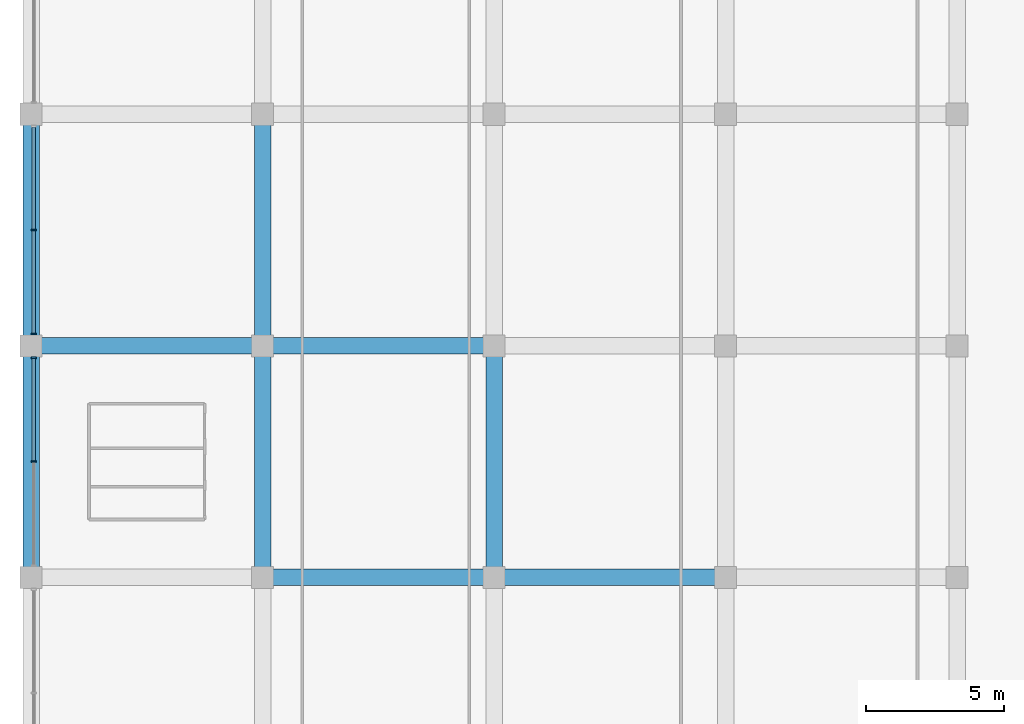
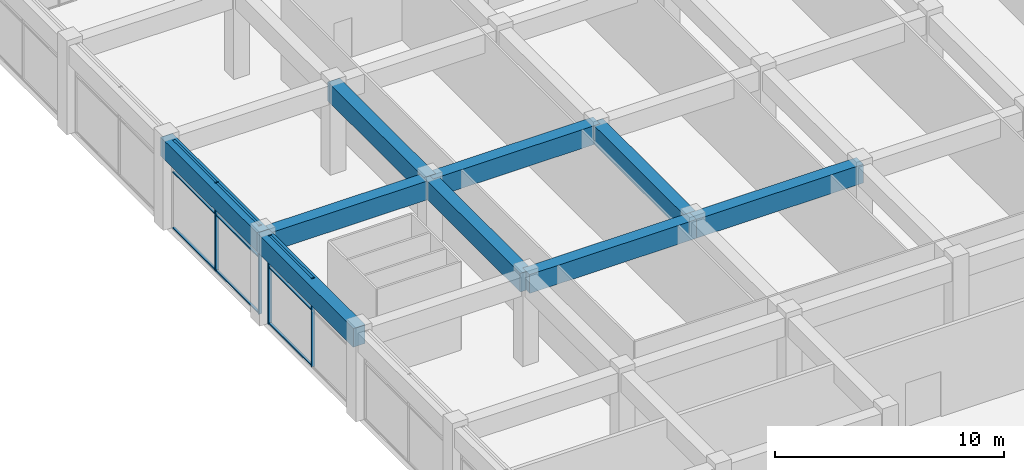
# One storey, part 9 of 34: 13 members, 9 beams, 2 elements without a shape of their own.
"""IFC4 building model written with IfcOpenShell, lengths in metres."""

from ifc_helpers import new_model, si_unit, direction, frame, origin, origin_2d, place, context, subcontext, project, spatial, rectangle, extrude, material, material_profile, profile_set, type_object, element, aggregate, save


model = new_model("IFC4")

# Units and contexts
model_context = context("Model", 3, precision=1e-05, world=origin(), true_north=direction((0.0, 1.0)))
body_context = subcontext(model_context, "Body", "Model", "MODEL_VIEW")
ifc_project = project(units=[si_unit("LENGTHUNIT", "METRE"), si_unit("AREAUNIT", "SQUARE_METRE"), si_unit("VOLUMEUNIT", "CUBIC_METRE"), si_unit("PLANEANGLEUNIT", "RADIAN"), si_unit("MASSUNIT", "GRAM", prefix="KILO")], contexts=[model_context])

# Site, building, storey
site_placement = place(None, origin())
site = spatial("IfcSite", under=ifc_project, at=site_placement, CompositionType="ELEMENT")
building_placement = place(site_placement, origin())
building = spatial("IfcBuilding", under=site, at=building_placement, Name="Impinga Residences", CompositionType="ELEMENT")
storey_placement = place(building_placement, frame((0.0, 0.0, 16.0)))
storey = spatial("IfcBuildingStorey", under=building, at=storey_placement, Name="L03", CompositionType="ELEMENT", Elevation=16.0)

# Curtain wall, members
ifc_material_1 = material(Name="Aluminium stick curtain wall", Category="aluminium")
curtain_wall_type = type_object("IfcCurtainWallType", Name="CW1 podium amenity curtain wall", PredefinedType="USERDEFINED", material=ifc_material_1)
curtain_wall_1_placement = place(storey_placement, origin())
curtain_wall_1 = element("IfcCurtainWall", 1, at=curtain_wall_1_placement, inside=storey, type_object=curtain_wall_type, Name="Curtain wall CW1 L03", ObjectType="STICK CURTAIN WALL", PredefinedType="USERDEFINED")
ifc_material_2 = material(Name="Aluminium mullion", Category="aluminium")
ifc_material_profile_1 = material_profile(ifc_material_2, rectangle(XDim=0.06005859375, YDim=0.179931640625, at=origin_2d()), Name="60x180 mullion")
ifc_profile_set_1 = profile_set([ifc_material_profile_1], Name="Aluminium mullion")
member_type_1 = type_object("IfcMemberType", Name="CW1-M mullion 60x180", PredefinedType="MULLION", material=ifc_profile_set_1)
member_1_placement = place(storey_placement, frame((-50.300048828125, 21.0, 0.0), z_axis=(0.0, 0.0, 1.0), x_axis=(0.0, 1.0, 0.0)))
member_1 = element("IfcMember", 2, at=member_1_placement, type_object=member_type_1, Name="CW1 mullion 2", PredefinedType="MULLION", context=body_context, shape_type="SweptSolid", body=[
    extrude(rectangle(XDim=0.06005859375, YDim=0.179931640625, at=origin_2d()), origin(), (0.0, 0.0, 1.0), 4.699951171875),
])
member_2_placement = place(storey_placement, frame((-50.300048828125, 24.76708984375, 0.0), z_axis=(0.0, 0.0, 1.0), x_axis=(0.0, 1.0, 0.0)))
member_2 = element("IfcMember", 3, at=member_2_placement, type_object=member_type_1, Name="CW1 mullion 3", PredefinedType="MULLION", context=body_context, shape_type="SweptSolid", body=[
    extrude(rectangle(XDim=0.06005859375, YDim=0.179931640625, at=origin_2d()), origin(), (0.0, 0.0, 1.0), 4.699951171875),
])

curtain_wall_2_placement = place(storey_placement, origin())
curtain_wall_2 = element("IfcCurtainWall", 4, at=curtain_wall_2_placement, inside=storey, type_object=curtain_wall_type, Name="Curtain wall CW1 L03", ObjectType="STICK CURTAIN WALL", PredefinedType="USERDEFINED")
member_3_placement = place(storey_placement, frame((-50.300048828125, 25.633056640625, 0.0), z_axis=(0.0, 0.0, 1.0), x_axis=(0.0, 1.0, 0.0)))
member_3 = element("IfcMember", 5, at=member_3_placement, type_object=member_type_1, Name="CW1 mullion 1", PredefinedType="MULLION", context=body_context, shape_type="SweptSolid", body=[
    extrude(rectangle(XDim=0.06005859375, YDim=0.179931640625, at=origin_2d()), origin(), (0.0, 0.0, 1.0), 4.699951171875),
])
member_4_placement = place(storey_placement, frame((-50.300048828125, 29.39990234375, 0.0), z_axis=(0.0, 0.0, 1.0), x_axis=(0.0, 1.0, 0.0)))
member_4 = element("IfcMember", 6, at=member_4_placement, type_object=member_type_1, Name="CW1 mullion 2", PredefinedType="MULLION", context=body_context, shape_type="SweptSolid", body=[
    extrude(rectangle(XDim=0.06005859375, YDim=0.179931640625, at=origin_2d()), origin(), (0.0, 0.0, 1.0), 4.699951171875),
])

# Member
ifc_material_3 = material(Name="Aluminium transom", Category="aluminium")
ifc_material_profile_2 = material_profile(ifc_material_3, rectangle(XDim=0.06005859375, YDim=0.1201171875, at=origin_2d()), Name="60x120 transom")
ifc_profile_set_2 = profile_set([ifc_material_profile_2], Name="Aluminium transom")
member_type_2 = type_object("IfcMemberType", Name="CW1-T transom 60x120", PredefinedType="USERDEFINED", material=ifc_profile_set_2)
member_5_placement = place(storey_placement, frame((-50.300048828125, 21.030029296875, 0.030029296875), z_axis=(0.0, 1.0, 0.0), x_axis=(0.0, 0.0, 1.0)))
member_5 = element("IfcMember", 7, at=member_5_placement, type_object=member_type_2, Name="CW1 transom 2.1", ObjectType="TRANSOM", PredefinedType="USERDEFINED", context=body_context, shape_type="SweptSolid", body=[
    extrude(rectangle(XDim=0.06005859375, YDim=0.1201171875, at=origin_2d()), origin(), (0.0, 0.0, 1.0), 3.70703125),
])

member_6_placement = place(storey_placement, frame((-50.300048828125, 21.030029296875, 3.0), z_axis=(0.0, 1.0, 0.0), x_axis=(0.0, 0.0, 1.0)))
member_6 = element("IfcMember", 8, at=member_6_placement, type_object=member_type_2, Name="CW1 transom 2.2", ObjectType="TRANSOM", PredefinedType="USERDEFINED", context=body_context, shape_type="SweptSolid", body=[
    extrude(rectangle(XDim=0.06005859375, YDim=0.1201171875, at=origin_2d()), origin(), (0.0, 0.0, 1.0), 3.70703125),
])

member_7_placement = place(storey_placement, frame((-50.300048828125, 21.030029296875, 4.669921875), z_axis=(0.0, 1.0, 0.0), x_axis=(0.0, 0.0, 1.0)))
member_7 = element("IfcMember", 9, at=member_7_placement, type_object=member_type_2, Name="CW1 transom 2.3", ObjectType="TRANSOM", PredefinedType="USERDEFINED", context=body_context, shape_type="SweptSolid", body=[
    extrude(rectangle(XDim=0.06005859375, YDim=0.1201171875, at=origin_2d()), origin(), (0.0, 0.0, 1.0), 3.70703125),
])

aggregate(curtain_wall_1, [member_1, member_2, member_5, member_6, member_7])

member_8_placement = place(storey_placement, frame((-50.300048828125, 25.6630859375, 0.030029296875), z_axis=(0.0, 1.0, 0.0), x_axis=(0.0, 0.0, 1.0)))
member_8 = element("IfcMember", 10, at=member_8_placement, type_object=member_type_2, Name="CW1 transom 1.1", ObjectType="TRANSOM", PredefinedType="USERDEFINED", context=body_context, shape_type="SweptSolid", body=[
    extrude(rectangle(XDim=0.06005859375, YDim=0.1201171875, at=origin_2d()), origin(), (0.0, 0.0, 1.0), 3.70703125),
])

member_9_placement = place(storey_placement, frame((-50.300048828125, 25.6630859375, 3.0), z_axis=(0.0, 1.0, 0.0), x_axis=(0.0, 0.0, 1.0)))
member_9 = element("IfcMember", 11, at=member_9_placement, type_object=member_type_2, Name="CW1 transom 1.2", ObjectType="TRANSOM", PredefinedType="USERDEFINED", context=body_context, shape_type="SweptSolid", body=[
    extrude(rectangle(XDim=0.06005859375, YDim=0.1201171875, at=origin_2d()), origin(), (0.0, 0.0, 1.0), 3.70703125),
])

member_10_placement = place(storey_placement, frame((-50.300048828125, 25.6630859375, 4.669921875), z_axis=(0.0, 1.0, 0.0), x_axis=(0.0, 0.0, 1.0)))
member_10 = element("IfcMember", 12, at=member_10_placement, type_object=member_type_2, Name="CW1 transom 1.3", ObjectType="TRANSOM", PredefinedType="USERDEFINED", context=body_context, shape_type="SweptSolid", body=[
    extrude(rectangle(XDim=0.06005859375, YDim=0.1201171875, at=origin_2d()), origin(), (0.0, 0.0, 1.0), 3.70703125),
])

member_11_placement = place(storey_placement, frame((-50.300048828125, 29.429931640625, 0.030029296875), z_axis=(0.0, 1.0, 0.0), x_axis=(0.0, 0.0, 1.0)))
member_11 = element("IfcMember", 13, at=member_11_placement, type_object=member_type_2, Name="CW1 transom 2.1", ObjectType="TRANSOM", PredefinedType="USERDEFINED", context=body_context, shape_type="SweptSolid", body=[
    extrude(rectangle(XDim=0.06005859375, YDim=0.1201171875, at=origin_2d()), origin(), (0.0, 0.0, 1.0), 3.70703125),
])

member_12_placement = place(storey_placement, frame((-50.300048828125, 29.429931640625, 3.0), z_axis=(0.0, 1.0, 0.0), x_axis=(0.0, 0.0, 1.0)))
member_12 = element("IfcMember", 14, at=member_12_placement, type_object=member_type_2, Name="CW1 transom 2.2", ObjectType="TRANSOM", PredefinedType="USERDEFINED", context=body_context, shape_type="SweptSolid", body=[
    extrude(rectangle(XDim=0.06005859375, YDim=0.1201171875, at=origin_2d()), origin(), (0.0, 0.0, 1.0), 3.70703125),
])

member_13_placement = place(storey_placement, frame((-50.300048828125, 29.429931640625, 4.669921875), z_axis=(0.0, 1.0, 0.0), x_axis=(0.0, 0.0, 1.0)))
member_13 = element("IfcMember", 15, at=member_13_placement, type_object=member_type_2, Name="CW1 transom 2.3", ObjectType="TRANSOM", PredefinedType="USERDEFINED", context=body_context, shape_type="SweptSolid", body=[
    extrude(rectangle(XDim=0.06005859375, YDim=0.1201171875, at=origin_2d()), origin(), (0.0, 0.0, 1.0), 3.70703125),
])

aggregate(curtain_wall_2, [member_3, member_4, member_8, member_9, member_10, member_11, member_12, member_13])

# Beams
ifc_material_4 = material(Name="Concrete C60/75", Category="concrete")
ifc_material_profile_3 = material_profile(ifc_material_4, rectangle(XDim=0.60009765625, YDim=1.0, at=origin_2d()), Name="RC 600x1000")
ifc_profile_set_3 = profile_set([ifc_material_profile_3], Name="Concrete C60/75")
beam_type = type_object("IfcBeamType", Name="PB2 600x1000 podium beam", PredefinedType="BEAM", material=ifc_profile_set_3)
beam_1_placement = place(storey_placement, frame((-42.0, 16.800048828125, 4.199951171875), z_axis=(1.0, 0.0, 0.0), x_axis=(0.0, 1.0, 0.0)))
element("IfcBeam", 16, at=beam_1_placement, inside=storey, type_object=beam_type, Name="Beam PB2 H/2-3 level L04", PredefinedType="BEAM", context=body_context, shape_type="SweptSolid", body=[
    extrude(rectangle(XDim=0.60009765625, YDim=1.0, at=origin_2d()), origin(), (0.0, 0.0, 1.0), 8.39990234375),
])
beam_2_placement = place(storey_placement, frame((-33.60009765625, 16.800048828125, 4.199951171875), z_axis=(1.0, 0.0, 0.0), x_axis=(0.0, 1.0, 0.0)))
element("IfcBeam", 17, at=beam_2_placement, inside=storey, type_object=beam_type, Name="Beam PB2 H/3-4 level L04", PredefinedType="BEAM", context=body_context, shape_type="SweptSolid", body=[
    extrude(rectangle(XDim=0.60009765625, YDim=1.0, at=origin_2d()), origin(), (0.0, 0.0, 1.0), 8.400146484375),
])
for number, where, z_axis, x_axis, name in (
    (18, (-50.39990234375, 25.199951171875, 4.199951171875), (1.0, 0.0, 0.0), (0.0, 1.0, 0.0), "Beam PB2 J/1-2 level L04"),
    (19, (-42.0, 25.199951171875, 4.199951171875), (1.0, 0.0, 0.0), (0.0, 1.0, 0.0), "Beam PB2 J/2-3 level L04"),
    (20, (-50.39990234375, 16.800048828125, 4.199951171875), (0.0, 1.0, 0.0), (-1.0, 0.0, 0.0), "Beam PB2 1/H-J level L04"),
):
    element("IfcBeam", number, at=place(storey_placement, frame(where, z_axis=z_axis, x_axis=x_axis)), inside=storey, type_object=beam_type, Name=name, PredefinedType="BEAM", context=body_context, shape_type="SweptSolid", body=[
        extrude(rectangle(XDim=0.60009765625, YDim=1.0, at=origin_2d()), origin(), (0.0, 0.0, 1.0), 8.39990234375),
    ])
beam_3_placement = place(storey_placement, frame((-50.39990234375, 25.199951171875, 4.199951171875), z_axis=(0.0, 1.0, 0.0), x_axis=(-1.0, 0.0, 0.0)))
element("IfcBeam", 21, at=beam_3_placement, inside=storey, type_object=beam_type, Name="Beam PB2 1/J-K level L04", PredefinedType="BEAM", context=body_context, shape_type="SweptSolid", body=[
    extrude(rectangle(XDim=0.60009765625, YDim=1.0, at=origin_2d()), origin(), (0.0, 0.0, 1.0), 8.400146484375),
])
beam_4_placement = place(storey_placement, frame((-42.0, 16.800048828125, 4.199951171875), z_axis=(0.0, 1.0, 0.0), x_axis=(-1.0, 0.0, 0.0)))
element("IfcBeam", 22, at=beam_4_placement, inside=storey, type_object=beam_type, Name="Beam PB2 2/H-J level L04", PredefinedType="BEAM", context=body_context, shape_type="SweptSolid", body=[
    extrude(rectangle(XDim=0.60009765625, YDim=1.0, at=origin_2d()), origin(), (0.0, 0.0, 1.0), 8.39990234375),
])
beam_5_placement = place(storey_placement, frame((-42.0, 25.199951171875, 4.199951171875), z_axis=(0.0, 1.0, 0.0), x_axis=(-1.0, 0.0, 0.0)))
element("IfcBeam", 23, at=beam_5_placement, inside=storey, type_object=beam_type, Name="Beam PB2 2/J-K level L04", PredefinedType="BEAM", context=body_context, shape_type="SweptSolid", body=[
    extrude(rectangle(XDim=0.60009765625, YDim=1.0, at=origin_2d()), origin(), (0.0, 0.0, 1.0), 8.400146484375),
])
beam_6_placement = place(storey_placement, frame((-33.60009765625, 16.800048828125, 4.199951171875), z_axis=(0.0, 1.0, 0.0), x_axis=(-1.0, 0.0, 0.0)))
element("IfcBeam", 24, at=beam_6_placement, inside=storey, type_object=beam_type, Name="Beam PB2 3/H-J level L04", PredefinedType="BEAM", context=body_context, shape_type="SweptSolid", body=[
    extrude(rectangle(XDim=0.60009765625, YDim=1.0, at=origin_2d()), origin(), (0.0, 0.0, 1.0), 8.39990234375),
])

save(model, "model.ifc")
